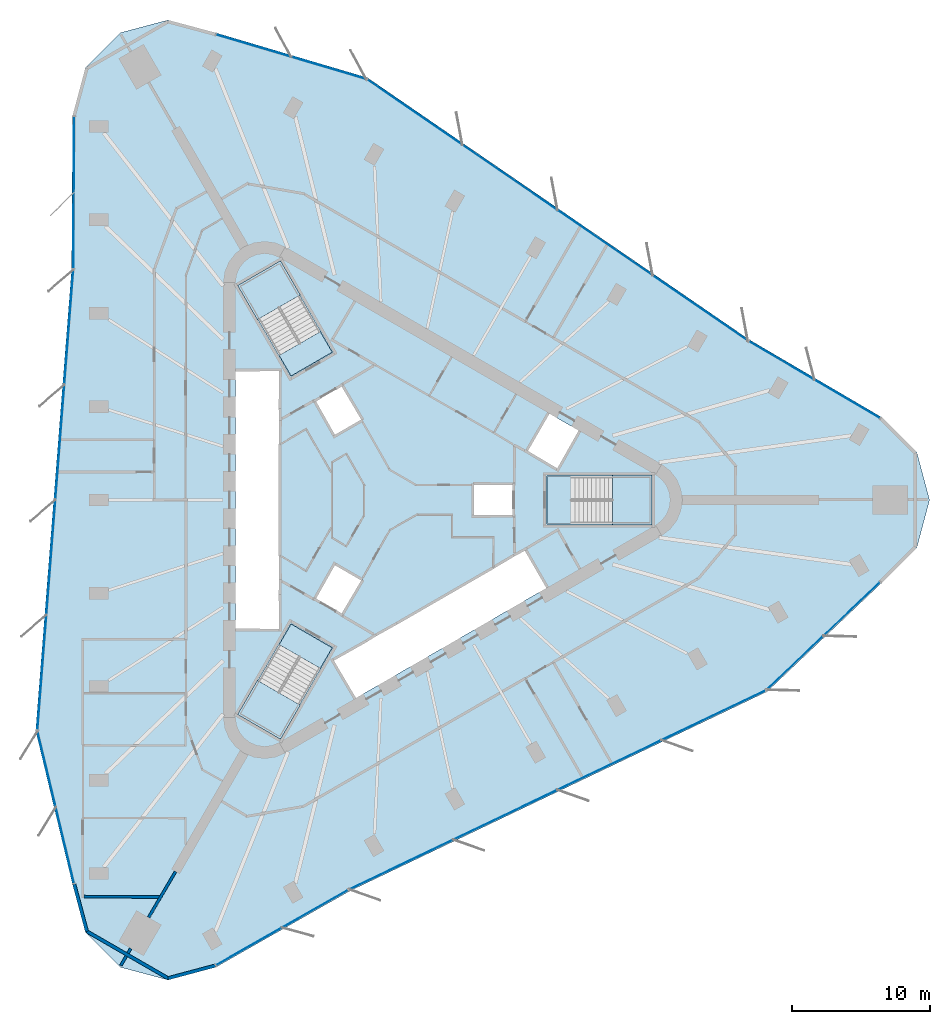
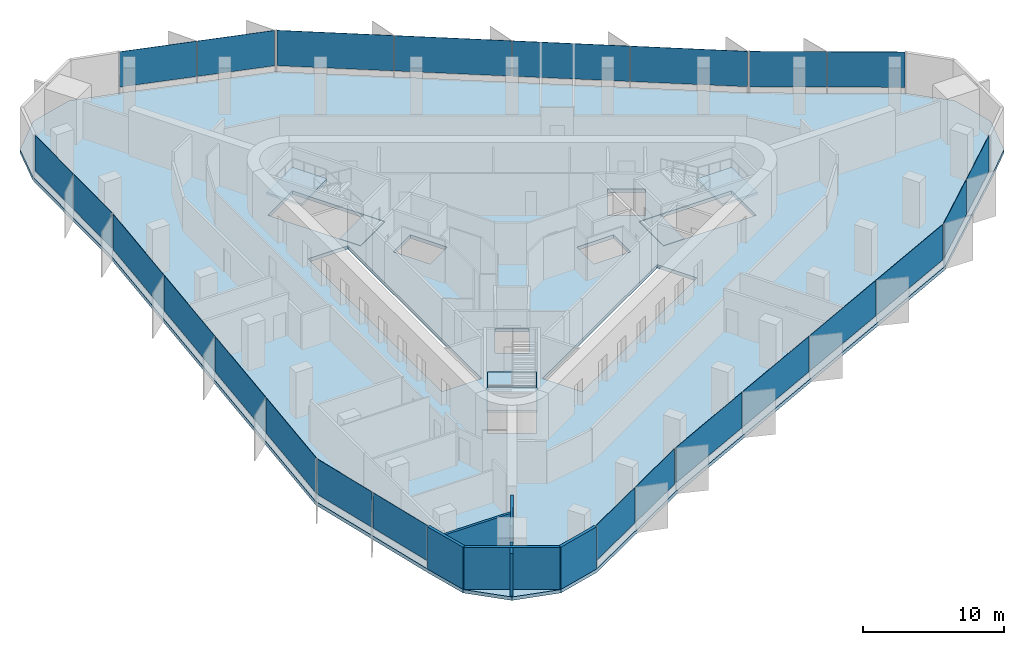
# One storey, part 7 of 13: 24 plates, 7 slabs, 7 walls, 12 elements without a shape of their own.
"""IFC4 building model written with IfcOpenShell, lengths in metres."""

from ifc_helpers import new_model, si_unit, direction, frame, frame_2d, origin, origin_2d, place, context, subcontext, project, spatial, polyline, rectangle, outline, extrude, material, layer, layer_set, type_object, element, aggregate, save


model = new_model("IFC4")

# Units and contexts
model_context = context("Model", 3, precision=1e-05, world=origin(), true_north=direction((0.0, 1.0)))
body_context = subcontext(model_context, "Body", "Model", "MODEL_VIEW")
ifc_project = project(units=[si_unit("LENGTHUNIT", "METRE"), si_unit("AREAUNIT", "SQUARE_METRE"), si_unit("VOLUMEUNIT", "CUBIC_METRE"), si_unit("PLANEANGLEUNIT", "RADIAN"), si_unit("MASSUNIT", "GRAM", prefix="KILO")], contexts=[model_context])

# Site, building, storey
site_placement = place(None, origin())
site = spatial("IfcSite", under=ifc_project, at=site_placement, CompositionType="ELEMENT")
building_placement = place(site_placement, origin())
building = spatial("IfcBuilding", under=site, at=building_placement, Name="Tanit Gate Tower", CompositionType="ELEMENT")
storey_placement = place(building_placement, frame((0.0, 0.0, 273.199951171875)))
storey = spatial("IfcBuildingStorey", under=building, at=storey_placement, Name="L62", CompositionType="ELEMENT", Elevation=273.199951171875)

# Slab
ifc_material_1 = material(Name="Concrete C35/45", Category="concrete")
ifc_layer_1 = layer(ifc_material_1, 0.300048828125)
ifc_layer_set_1 = layer_set([ifc_layer_1], Name="FLOOR SLAB 300 C35/45")
slab_type_1 = type_object("IfcSlabType", Name="FLOOR SLAB 300 C35/45", PredefinedType="FLOOR", material=ifc_layer_set_1)
slab_1_placement = place(storey_placement, frame((0.0, 0.0, -0.300048828125)))
element("IfcSlab", 1, at=slab_1_placement, inside=storey, type_object=slab_type_1, Name="FLOOR SLAB L62", PredefinedType="FLOOR", context=body_context, shape_type="SweptSolid", body=[
    extrude(outline(polyline([(35.658935546875, 5.9951171875), (38.19287109375, 3.461181640625), (39.1201171875, 0.0), (38.19287109375, -3.461181640625), (35.658935546875, -5.9951171875), (27.339111328125, -13.89208984375), (-2.942626953125, -28.364013671875), (-12.637451171875, -33.879150390625), (-16.098876953125, -34.806640625), (-19.56005859375, -33.879150390625), (-22.093994140625, -31.34521484375), (-23.021484375, -27.8837890625), (-25.7001953125, -16.73046875), (-23.092529296875, 16.73046875), (-23.021484375, 27.8837890625), (-22.093994140625, 31.34521484375), (-19.56005859375, 33.879150390625), (-16.098876953125, 34.806640625), (-12.637451171875, 33.879150390625), (-1.638671875, 30.622314453125), (26.03515625, 11.633544921875), (35.658935546875, 5.9951171875)]), holes=[polyline([(11.3701171875, 1.72998046875), (18.929931640625, 1.72998046875), (18.929931640625, -1.72998046875), (11.3701171875, -1.72998046875), (11.3701171875, 1.72998046875)]), polyline([(9.82080078125, 3.510009765625), (11.44580078125, 6.324462890625), (13.783935546875, 4.974609375), (12.158935546875, 2.159912109375), (9.82080078125, 3.510009765625)]), polyline([(-4.208984375, -11.60986328125), (9.82080078125, -3.510009765625), (11.44580078125, -6.324462890625), (-2.583984375, -14.424560546875), (-4.208984375, -11.60986328125)]), polyline([(6.0, 1.199951171875), (9.0, 1.199951171875), (9.0, -1.199951171875), (6.0, -1.199951171875), (6.0, 1.199951171875)]), polyline([(-5.539306640625, 7.194091796875), (-3.460693359375, 8.394287109375), (-1.960693359375, 5.796142578125), (-4.039306640625, 4.59619140625), (-5.539306640625, 7.194091796875)]), polyline([(-1.960693359375, -5.796142578125), (-3.460693359375, -8.394287109375), (-5.539306640625, -7.194091796875), (-4.039306640625, -4.59619140625), (-1.960693359375, -5.796142578125)]), polyline([(-10.963134765625, 15.52880859375), (-7.966796875, 17.2587890625), (-4.186767578125, 10.711669921875), (-7.18310546875, 8.981689453125), (-10.963134765625, 15.52880859375)]), polyline([(-4.186767578125, -10.711669921875), (-7.966796875, -17.2587890625), (-10.963134765625, -15.52880859375), (-7.18310546875, -8.981689453125), (-4.186767578125, -10.711669921875)]), polyline([(-11.199951171875, -9.449951171875), (-11.199951171875, 9.449951171875), (-7.949951171875, 9.449951171875), (-7.949951171875, -9.449951171875), (-11.199951171875, -9.449951171875)])]), origin(), (0.0, 0.0, 1.0), 0.300048828125),
])

# Curtain wall, plates
ifc_material_2 = material(Name="Aluminium bronze anodised and glass", Category="aluminium")
curtain_wall_type = type_object("IfcCurtainWallType", Name="Curtain wall typical mid", PredefinedType="NOTDEFINED", material=ifc_material_2)
curtain_wall_1_placement = place(storey_placement, origin())
curtain_wall_1 = element("IfcCurtainWall", 2, at=curtain_wall_1_placement, inside=storey, type_object=curtain_wall_type, Name="Curtain wall L62 NE1", PredefinedType="NOTDEFINED")
ifc_material_3 = material(Name="Glass tinted", Category="glass")
ifc_layer_2 = layer(ifc_material_3, 0.030029296875)
ifc_layer_set_2 = layer_set([ifc_layer_2], Name="Glass panel 30 typical mid")
plate_type = type_object("IfcPlateType", Name="Glass panel 30 typical mid", PredefinedType="CURTAIN_PANEL", material=ifc_layer_set_2)
plate_1_placement = place(storey_placement, frame((33.1640625, 7.317626953125, 0.60009765625), z_axis=(0.0, 0.0, 1.0), x_axis=(-0.862821001903, 0.505509563386, 0.0)))
plate_1 = element("IfcPlate", 3, at=plate_1_placement, type_object=plate_type, Name="Glass panel L62 NE1.1", PredefinedType="CURTAIN_PANEL", context=body_context, shape_type="SweptSolid", body=[
    extrude(rectangle(XDim=5.451416015625, YDim=0.030029296875, at=origin_2d()), origin(), (0.0, 0.0, 1.0), 3.050048828125),
])
plate_2_placement = place(storey_placement, frame((28.3916015625, 10.11376953125, 0.60009765625), z_axis=(0.0, 0.0, 1.0), x_axis=(-0.862821001903, 0.505509563386, 0.0)))
plate_2 = element("IfcPlate", 4, at=plate_2_placement, type_object=plate_type, Name="Glass panel L62 NE1.2", PredefinedType="CURTAIN_PANEL", context=body_context, shape_type="SweptSolid", body=[
    extrude(rectangle(XDim=5.451416015625, YDim=0.030029296875, at=origin_2d()), origin(), (0.0, 0.0, 1.0), 3.050048828125),
])
aggregate(curtain_wall_1, [plate_1, plate_2])

curtain_wall_2_placement = place(storey_placement, origin())
curtain_wall_2 = element("IfcCurtainWall", 5, at=curtain_wall_2_placement, inside=storey, type_object=curtain_wall_type, Name="Curtain wall L62 NE2", PredefinedType="NOTDEFINED")
plate_3_placement = place(storey_placement, frame((22.48828125, 13.921630859375, 0.60009765625), z_axis=(0.0, 0.0, 1.0), x_axis=(-0.824556572821, 0.565779513784, 0.0)))
plate_3 = element("IfcPlate", 6, at=plate_3_placement, type_object=plate_type, Name="Glass panel L62 NE2.1", PredefinedType="CURTAIN_PANEL", context=body_context, shape_type="SweptSolid", body=[
    extrude(rectangle(XDim=8.286865234375, YDim=0.030029296875, at=origin_2d()), origin(), (0.0, 0.0, 1.0), 3.050048828125),
])
plate_4_placement = place(storey_placement, frame((15.58935546875, 18.655517578125, 0.60009765625), z_axis=(0.0, 0.0, 1.0), x_axis=(-0.824556572821, 0.565779513784, 0.0)))
plate_4 = element("IfcPlate", 7, at=plate_4_placement, type_object=plate_type, Name="Glass panel L62 NE2.2", PredefinedType="CURTAIN_PANEL", context=body_context, shape_type="SweptSolid", body=[
    extrude(rectangle(XDim=8.286865234375, YDim=0.030029296875, at=origin_2d()), origin(), (0.0, 0.0, 1.0), 3.050048828125),
])
plate_5_placement = place(storey_placement, frame((8.6904296875, 23.38916015625, 0.60009765625), z_axis=(0.0, 0.0, 1.0), x_axis=(-0.824556572821, 0.565779513784, 0.0)))
plate_5 = element("IfcPlate", 8, at=plate_5_placement, type_object=plate_type, Name="Glass panel L62 NE2.3", PredefinedType="CURTAIN_PANEL", context=body_context, shape_type="SweptSolid", body=[
    extrude(rectangle(XDim=8.286865234375, YDim=0.030029296875, at=origin_2d()), origin(), (0.0, 0.0, 1.0), 3.050048828125),
])
plate_6_placement = place(storey_placement, frame((1.79150390625, 28.123046875, 0.60009765625), z_axis=(0.0, 0.0, 1.0), x_axis=(-0.824556572821, 0.565779513784, 0.0)))
plate_6 = element("IfcPlate", 9, at=plate_6_placement, type_object=plate_type, Name="Glass panel L62 NE2.4", PredefinedType="CURTAIN_PANEL", context=body_context, shape_type="SweptSolid", body=[
    extrude(rectangle(XDim=8.286865234375, YDim=0.030029296875, at=origin_2d()), origin(), (0.0, 0.0, 1.0), 3.050048828125),
])
aggregate(curtain_wall_2, [plate_3, plate_4, plate_5, plate_6])

curtain_wall_3_placement = place(storey_placement, origin())
curtain_wall_3 = element("IfcCurtainWall", 10, at=curtain_wall_3_placement, inside=storey, type_object=curtain_wall_type, Name="Curtain wall L62 NE3", PredefinedType="NOTDEFINED")
plate_7_placement = place(storey_placement, frame((-4.454833984375, 31.3310546875, 0.60009765625), z_axis=(0.0, 0.0, 1.0), x_axis=(-0.95884800892, 0.283919875653, 0.0)))
plate_7 = element("IfcPlate", 11, at=plate_7_placement, type_object=plate_type, Name="Glass panel L62 NE3.1", PredefinedType="CURTAIN_PANEL", context=body_context, shape_type="SweptSolid", body=[
    extrude(rectangle(XDim=5.60498046875, YDim=0.030029296875, at=origin_2d()), origin(), (0.0, 0.0, 1.0), 3.050048828125),
])
plate_8_placement = place(storey_placement, frame((-9.906005859375, 32.945068359375, 0.60009765625), z_axis=(0.0, 0.0, 1.0), x_axis=(-0.95884800892, 0.283919875653, 0.0)))
plate_8 = element("IfcPlate", 12, at=plate_8_placement, type_object=plate_type, Name="Glass panel L62 NE3.2", PredefinedType="CURTAIN_PANEL", context=body_context, shape_type="SweptSolid", body=[
    extrude(rectangle(XDim=5.60498046875, YDim=0.030029296875, at=origin_2d()), origin(), (0.0, 0.0, 1.0), 3.050048828125),
])
aggregate(curtain_wall_3, [plate_7, plate_8])

curtain_wall_4_placement = place(storey_placement, origin())
curtain_wall_4 = element("IfcCurtainWall", 13, at=curtain_wall_4_placement, inside=storey, type_object=curtain_wall_type, Name="Curtain wall L62 W1", PredefinedType="NOTDEFINED")
plate_9_placement = place(storey_placement, frame((-22.91943359375, 25.062255859375, 0.60009765625), z_axis=(0.0, 0.0, 1.0), x_axis=(-0.006373622797, -0.99997968826, 0.0)))
plate_9 = element("IfcPlate", 14, at=plate_9_placement, type_object=plate_type, Name="Glass panel L62 W1.1", PredefinedType="CURTAIN_PANEL", context=body_context, shape_type="SweptSolid", body=[
    extrude(rectangle(XDim=5.451416015625, YDim=0.030029296875, at=origin_2d()), origin(), (0.0, 0.0, 1.0), 3.050048828125),
])
plate_10_placement = place(storey_placement, frame((-22.95458984375, 19.531005859375, 0.60009765625), z_axis=(0.0, 0.0, 1.0), x_axis=(-0.006373622797, -0.99997968826, 0.0)))
plate_10 = element("IfcPlate", 15, at=plate_10_placement, type_object=plate_type, Name="Glass panel L62 W1.2", PredefinedType="CURTAIN_PANEL", context=body_context, shape_type="SweptSolid", body=[
    extrude(rectangle(XDim=5.451416015625, YDim=0.030029296875, at=origin_2d()), origin(), (0.0, 0.0, 1.0), 3.050048828125),
])
aggregate(curtain_wall_4, [plate_9, plate_10])

curtain_wall_5_placement = place(storey_placement, origin())
curtain_wall_5 = element("IfcCurtainWall", 16, at=curtain_wall_5_placement, inside=storey, type_object=curtain_wall_type, Name="Curtain wall L62 W2", PredefinedType="NOTDEFINED")
plate_11_placement = place(storey_placement, frame((-23.30078125, 12.5146484375, 0.60009765625), z_axis=(0.0, 0.0, 1.0), x_axis=(-0.077701145467, -0.996976695812, 0.0)))
plate_11 = element("IfcPlate", 17, at=plate_11_placement, type_object=plate_type, Name="Glass panel L62 W2.1", PredefinedType="CURTAIN_PANEL", context=body_context, shape_type="SweptSolid", body=[
    extrude(rectangle(XDim=8.286865234375, YDim=0.030029296875, at=origin_2d()), origin(), (0.0, 0.0, 1.0), 3.050048828125),
])
plate_12_placement = place(storey_placement, frame((-23.950927734375, 4.173095703125, 0.60009765625), z_axis=(0.0, 0.0, 1.0), x_axis=(-0.077701145467, -0.996976695812, 0.0)))
plate_12 = element("IfcPlate", 18, at=plate_12_placement, type_object=plate_type, Name="Glass panel L62 W2.2", PredefinedType="CURTAIN_PANEL", context=body_context, shape_type="SweptSolid", body=[
    extrude(rectangle(XDim=8.286865234375, YDim=0.030029296875, at=origin_2d()), origin(), (0.0, 0.0, 1.0), 3.050048828125),
])
plate_13_placement = place(storey_placement, frame((-24.600830078125, -4.16845703125, 0.60009765625), z_axis=(0.0, 0.0, 1.0), x_axis=(-0.077701145467, -0.996976695812, 0.0)))
plate_13 = element("IfcPlate", 19, at=plate_13_placement, type_object=plate_type, Name="Glass panel L62 W2.3", PredefinedType="CURTAIN_PANEL", context=body_context, shape_type="SweptSolid", body=[
    extrude(rectangle(XDim=8.286865234375, YDim=0.030029296875, at=origin_2d()), origin(), (0.0, 0.0, 1.0), 3.050048828125),
])
plate_14_placement = place(storey_placement, frame((-25.2509765625, -12.510009765625, 0.60009765625), z_axis=(0.0, 0.0, 1.0), x_axis=(-0.077701145467, -0.996976695812, 0.0)))
plate_14 = element("IfcPlate", 20, at=plate_14_placement, type_object=plate_type, Name="Glass panel L62 W2.4", PredefinedType="CURTAIN_PANEL", context=body_context, shape_type="SweptSolid", body=[
    extrude(rectangle(XDim=8.286865234375, YDim=0.030029296875, at=origin_2d()), origin(), (0.0, 0.0, 1.0), 3.050048828125),
])
aggregate(curtain_wall_5, [plate_11, plate_12, plate_13, plate_14])

curtain_wall_6_placement = place(storey_placement, origin())
curtain_wall_6 = element("IfcCurtainWall", 21, at=curtain_wall_6_placement, inside=storey, type_object=curtain_wall_type, Name="Curtain wall L62 W3", PredefinedType="NOTDEFINED")
plate_15_placement = place(storey_placement, frame((-24.906005859375, -19.523681640625, 0.60009765625), z_axis=(0.0, 0.0, 1.0), x_axis=(0.233542179505, -0.972346671919, 0.0)))
plate_15 = element("IfcPlate", 22, at=plate_15_placement, type_object=plate_type, Name="Glass panel L62 W3.1", PredefinedType="CURTAIN_PANEL", context=body_context, shape_type="SweptSolid", body=[
    extrude(rectangle(XDim=5.60498046875, YDim=0.030029296875, at=origin_2d()), origin(), (0.0, 0.0, 1.0), 3.050048828125),
])
plate_16_placement = place(storey_placement, frame((-23.578369140625, -25.051513671875, 0.60009765625), z_axis=(0.0, 0.0, 1.0), x_axis=(0.233542179505, -0.972346671919, 0.0)))
plate_16 = element("IfcPlate", 23, at=plate_16_placement, type_object=plate_type, Name="Glass panel L62 W3.2", PredefinedType="CURTAIN_PANEL", context=body_context, shape_type="SweptSolid", body=[
    extrude(rectangle(XDim=5.60498046875, YDim=0.030029296875, at=origin_2d()), origin(), (0.0, 0.0, 1.0), 3.050048828125),
])
aggregate(curtain_wall_6, [plate_15, plate_16])

curtain_wall_7_placement = place(storey_placement, origin())
curtain_wall_7 = element("IfcCurtainWall", 24, at=curtain_wall_7_placement, inside=storey, type_object=curtain_wall_type, Name="Curtain wall L62 SE1", PredefinedType="NOTDEFINED")
plate_17_placement = place(storey_placement, frame((-10.244873046875, -32.3798828125, 0.60009765625), z_axis=(0.0, 0.0, 1.0), x_axis=(0.8691946247, 0.494470124873, 0.0)))
plate_17 = element("IfcPlate", 25, at=plate_17_placement, type_object=plate_type, Name="Glass panel L62 SE1.1", PredefinedType="CURTAIN_PANEL", context=body_context, shape_type="SweptSolid", body=[
    extrude(rectangle(XDim=5.451416015625, YDim=0.030029296875, at=origin_2d()), origin(), (0.0, 0.0, 1.0), 3.050048828125),
])
plate_18_placement = place(storey_placement, frame((-5.43701171875, -29.644775390625, 0.60009765625), z_axis=(0.0, 0.0, 1.0), x_axis=(0.8691946247, 0.494470124873, 0.0)))
plate_18 = element("IfcPlate", 26, at=plate_18_placement, type_object=plate_type, Name="Glass panel L62 SE1.2", PredefinedType="CURTAIN_PANEL", context=body_context, shape_type="SweptSolid", body=[
    extrude(rectangle(XDim=5.451416015625, YDim=0.030029296875, at=origin_2d()), origin(), (0.0, 0.0, 1.0), 3.050048828125),
])
aggregate(curtain_wall_7, [plate_17, plate_18])

curtain_wall_8_placement = place(storey_placement, origin())
curtain_wall_8 = element("IfcCurtainWall", 27, at=curtain_wall_8_placement, inside=storey, type_object=curtain_wall_type, Name="Curtain wall L62 SE2", PredefinedType="NOTDEFINED")
plate_19_placement = place(storey_placement, frame((0.812255859375, -26.436279296875, 0.60009765625), z_axis=(0.0, 0.0, 1.0), x_axis=(0.902257718288, 0.431197182029, 0.0)))
plate_19 = element("IfcPlate", 28, at=plate_19_placement, type_object=plate_type, Name="Glass panel L62 SE2.1", PredefinedType="CURTAIN_PANEL", context=body_context, shape_type="SweptSolid", body=[
    extrude(rectangle(XDim=8.286865234375, YDim=0.030029296875, at=origin_2d()), origin(), (0.0, 0.0, 1.0), 3.050048828125),
])
plate_20_placement = place(storey_placement, frame((8.361572265625, -22.82861328125, 0.60009765625), z_axis=(0.0, 0.0, 1.0), x_axis=(0.902257718288, 0.431197182029, 0.0)))
plate_20 = element("IfcPlate", 29, at=plate_20_placement, type_object=plate_type, Name="Glass panel L62 SE2.2", PredefinedType="CURTAIN_PANEL", context=body_context, shape_type="SweptSolid", body=[
    extrude(rectangle(XDim=8.286865234375, YDim=0.030029296875, at=origin_2d()), origin(), (0.0, 0.0, 1.0), 3.050048828125),
])
plate_21_placement = place(storey_placement, frame((15.910400390625, -19.220703125, 0.60009765625), z_axis=(0.0, 0.0, 1.0), x_axis=(0.902257718288, 0.431197182029, 0.0)))
plate_21 = element("IfcPlate", 30, at=plate_21_placement, type_object=plate_type, Name="Glass panel L62 SE2.3", PredefinedType="CURTAIN_PANEL", context=body_context, shape_type="SweptSolid", body=[
    extrude(rectangle(XDim=8.286865234375, YDim=0.030029296875, at=origin_2d()), origin(), (0.0, 0.0, 1.0), 3.050048828125),
])
plate_22_placement = place(storey_placement, frame((23.45947265625, -15.613037109375, 0.60009765625), z_axis=(0.0, 0.0, 1.0), x_axis=(0.902257718288, 0.431197182029, 0.0)))
plate_22 = element("IfcPlate", 31, at=plate_22_placement, type_object=plate_type, Name="Glass panel L62 SE2.4", PredefinedType="CURTAIN_PANEL", context=body_context, shape_type="SweptSolid", body=[
    extrude(rectangle(XDim=8.286865234375, YDim=0.030029296875, at=origin_2d()), origin(), (0.0, 0.0, 1.0), 3.050048828125),
])
aggregate(curtain_wall_8, [plate_19, plate_20, plate_21, plate_22])

curtain_wall_9_placement = place(storey_placement, origin())
curtain_wall_9 = element("IfcCurtainWall", 32, at=curtain_wall_9_placement, inside=storey, type_object=curtain_wall_type, Name="Curtain wall L62 SE3", PredefinedType="NOTDEFINED")
plate_23_placement = place(storey_placement, frame((29.36083984375, -11.807373046875, 0.60009765625), z_axis=(0.0, 0.0, 1.0), x_axis=(0.725305829415, 0.688426796266, 0.0)))
plate_23 = element("IfcPlate", 33, at=plate_23_placement, type_object=plate_type, Name="Glass panel L62 SE3.1", PredefinedType="CURTAIN_PANEL", context=body_context, shape_type="SweptSolid", body=[
    extrude(rectangle(XDim=5.60498046875, YDim=0.030029296875, at=origin_2d()), origin(), (0.0, 0.0, 1.0), 3.050048828125),
])
plate_24_placement = place(storey_placement, frame((33.484375, -7.8935546875, 0.60009765625), z_axis=(0.0, 0.0, 1.0), x_axis=(0.725305829415, 0.688426796266, 0.0)))
plate_24 = element("IfcPlate", 34, at=plate_24_placement, type_object=plate_type, Name="Glass panel L62 SE3.2", PredefinedType="CURTAIN_PANEL", context=body_context, shape_type="SweptSolid", body=[
    extrude(rectangle(XDim=5.60498046875, YDim=0.030029296875, at=origin_2d()), origin(), (0.0, 0.0, 1.0), 3.050048828125),
])
aggregate(curtain_wall_9, [plate_23, plate_24])

# Stair, slab
ifc_material_4 = material(Name="Concrete C40/50", Category="concrete")
stair_type = type_object("IfcStairType", Name="INT-STAIR-EXIT", PredefinedType="HALF_TURN_STAIR", material=ifc_material_4)
stair_1_placement = place(storey_placement, origin())
stair_1 = element("IfcStair", 35, at=stair_1_placement, inside=storey, type_object=stair_type, Name="L62 STAIR S1", PredefinedType="HALF_TURN_STAIR")
ifc_material_5 = material(Name="Concrete C40/50", Category="concrete")
ifc_layer_3 = layer(ifc_material_5, 0.199951171875)
ifc_layer_set_3 = layer_set([ifc_layer_3], Name="INT-STAIR-LANDING")
slab_type_2 = type_object("IfcSlabType", Name="INT-STAIR-LANDING", PredefinedType="LANDING", material=ifc_layer_set_3)
slab_2_placement = place(storey_placement, frame((0.0, 0.0, 1.800048828125)))
slab_2 = element("IfcSlab", 36, at=slab_2_placement, type_object=slab_type_2, Name="S1 landing 1", PredefinedType="LANDING", context=body_context, shape_type="SweptSolid", body=[
    extrude(outline(polyline([(16.135986328125, -1.800048828125), (19.0, -1.800048828125), (19.0, 1.800048828125), (16.135986328125, 1.800048828125), (16.135986328125, -1.800048828125)])), origin(), (0.0, 0.0, 1.0), 0.199951171875),
])
aggregate(stair_1, [slab_2])

# Slab
slab_3_placement = place(storey_placement, frame((0.0, 0.0, -0.199951171875)))
element("IfcSlab", 37, at=slab_3_placement, inside=storey, type_object=slab_type_2, Name="S1 floor landing", PredefinedType="LANDING", context=body_context, shape_type="SweptSolid", body=[
    extrude(outline(polyline([(11.3798828125, -1.719970703125), (13.10498046875, -1.719970703125), (13.10498046875, 1.719970703125), (11.3798828125, 1.719970703125), (11.3798828125, -1.719970703125)])), origin(), (0.0, 0.0, 1.0), 0.199951171875),
])

# Stair, slab
stair_2_placement = place(storey_placement, origin())
stair_2 = element("IfcStair", 38, at=stair_2_placement, inside=storey, type_object=stair_type, Name="L62 STAIR S2", PredefinedType="HALF_TURN_STAIR")
slab_4_placement = place(storey_placement, frame((0.0, 0.0, 1.800048828125)))
slab_4 = element("IfcSlab", 39, at=slab_4_placement, type_object=slab_type_2, Name="S2 landing 1", PredefinedType="LANDING", context=body_context, shape_type="SweptSolid", body=[
    extrude(outline(polyline([(-6.5078125, 14.871826171875), (-7.941162109375, 17.3544921875), (-11.058837890625, 15.554443359375), (-9.62548828125, 13.07177734375), (-6.5078125, 14.871826171875)])), origin(), (0.0, 0.0, 1.0), 0.199951171875),
])
aggregate(stair_2, [slab_4])

# Slab
slab_5_placement = place(storey_placement, frame((0.0, 0.0, -0.199951171875)))
element("IfcSlab", 40, at=slab_5_placement, inside=storey, type_object=slab_type_2, Name="S2 floor landing", PredefinedType="LANDING", context=body_context, shape_type="SweptSolid", body=[
    extrude(outline(polyline([(-4.200439453125, 10.71533203125), (-5.0625, 12.20849609375), (-8.04150390625, 10.48828125), (-7.179443359375, 8.995361328125), (-4.200439453125, 10.71533203125)])), origin(), (0.0, 0.0, 1.0), 0.199951171875),
])

# Stair, slab
stair_3_placement = place(storey_placement, origin())
stair_3 = element("IfcStair", 41, at=stair_3_placement, inside=storey, type_object=stair_type, Name="L62 STAIR S3", PredefinedType="HALF_TURN_STAIR")
slab_6_placement = place(storey_placement, frame((0.0, 0.0, 1.800048828125)))
slab_6 = element("IfcSlab", 42, at=slab_6_placement, type_object=slab_type_2, Name="S3 landing 1", PredefinedType="LANDING", context=body_context, shape_type="SweptSolid", body=[
    extrude(outline(polyline([(-9.626953125, -13.07421875), (-11.058837890625, -15.554443359375), (-7.941162109375, -17.3544921875), (-6.509033203125, -14.874267578125), (-9.626953125, -13.07421875)])), origin(), (0.0, 0.0, 1.0), 0.199951171875),
])
aggregate(stair_3, [slab_6])

# Slab
slab_7_placement = place(storey_placement, frame((0.0, 0.0, -0.199951171875)))
element("IfcSlab", 43, at=slab_7_placement, inside=storey, type_object=slab_type_2, Name="S3 floor landing", PredefinedType="LANDING", context=body_context, shape_type="SweptSolid", body=[
    extrude(outline(polyline([(-7.179443359375, -8.995361328125), (-8.0419921875, -10.4892578125), (-5.06298828125, -12.209228515625), (-4.200439453125, -10.71533203125), (-7.179443359375, -8.995361328125)])), origin(), (0.0, 0.0, 1.0), 0.199951171875),
])

# Walls
ifc_material_6 = material(Name="Concrete C30/37 with bronze anodised aluminium cladding", Category="concrete")
ifc_layer_4 = layer(ifc_material_6, 0.239990234375)
ifc_layer_set_4 = layer_set([ifc_layer_4], Name="Facade wall bronze clad 240")
wall_type_1 = type_object("IfcWallType", Name="Facade wall bronze clad 240", PredefinedType="SOLIDWALL", material=ifc_layer_set_4)
wall_1_placement = place(storey_placement, frame((-22.905029296875, -27.8544921875, 0.0), z_axis=(0.0, 0.0, 1.0), x_axis=(0.258814010312, -0.965927175343, 0.0)))
element("IfcWall", 44, at=wall_1_placement, inside=storey, type_object=wall_type_1, Name="Bronze-clad facade wall L62 SW.arc1", PredefinedType="SOLIDWALL", context=body_context, shape_type="SweptSolid", body=[
    extrude(rectangle(XDim=3.549560546875, YDim=0.239990234375, at=frame_2d((1.77490234375, 0.0))), origin(), (0.0, 0.0, 1.0), 3.650146484375),
])
wall_2_placement = place(storey_placement, frame((-21.986328125, -31.283203125, 0.0), z_axis=(0.0, 0.0, 1.0), x_axis=(0.866022320763, -0.500005339912, 0.0)))
element("IfcWall", 45, at=wall_2_placement, inside=storey, type_object=wall_type_1, Name="Bronze-clad facade wall L62 SW.arc2", PredefinedType="SOLIDWALL", context=body_context, shape_type="SweptSolid", body=[
    extrude(rectangle(XDim=6.79833984375, YDim=0.239990234375, at=frame_2d((3.399169921875, 0.0))), origin(), (0.0, 0.0, 1.0), 3.650146484375),
])
wall_3_placement = place(storey_placement, frame((-16.098876953125, -34.682373046875, 0.0), z_axis=(0.0, 0.0, 1.0), x_axis=(0.965919080444, 0.258844219627, 0.0)))
element("IfcWall", 46, at=wall_3_placement, inside=storey, type_object=wall_type_1, Name="Bronze-clad facade wall L62 SW.arc3", PredefinedType="SOLIDWALL", context=body_context, shape_type="SweptSolid", body=[
    extrude(rectangle(XDim=3.5361328125, YDim=0.239990234375, at=frame_2d((1.76806640625, 0.0))), origin(), (0.0, 0.0, 1.0), 3.650146484375),
])
ifc_material_7 = material(Name="Fire-rated gypsum board partition")
ifc_layer_5 = layer(ifc_material_7, 0.199951171875)
ifc_layer_set_5 = layer_set([ifc_layer_5], Name="INT-WALL-COMPARTMENT")
wall_type_2 = type_object("IfcWallType", Name="INT-WALL-COMPARTMENT", PredefinedType="PARTITIONING", material=ifc_layer_set_5)
wall_4_placement = place(storey_placement, frame((-15.557373046875, -26.946044921875, 0.0), z_axis=(0.0, 0.0, 1.0), x_axis=(-0.506699088554, -0.862122980588, 0.0)))
element("IfcWall", 47, at=wall_4_placement, inside=storey, type_object=wall_type_2, Name="Wall Compartment W130", PredefinedType="PARTITIONING", context=body_context, shape_type="SweptSolid", body=[
    extrude(rectangle(XDim=3.85546875, YDim=0.199951171875, at=frame_2d((1.927734375, 0.0))), origin(), (0.0, 0.0, 1.0), 3.219970703125),
])
wall_5_placement = place(storey_placement, frame((-18.81103515625, -32.521728515625, 0.0), z_axis=(0.0, 0.0, 1.0), x_axis=(-0.500061319399, -0.865989998118, 0.0)))
element("IfcWall", 48, at=wall_5_placement, inside=storey, type_object=wall_type_2, Name="Wall Compartment W114", PredefinedType="PARTITIONING", context=body_context, shape_type="SweptSolid", body=[
    extrude(rectangle(XDim=0.39501953125, YDim=0.199951171875, at=frame_2d((0.197509765625, 0.0))), origin(), (0.0, 0.0, 1.0), 3.650146484375),
])
wall_6_placement = place(storey_placement, frame((-19.128662109375, -33.071533203125, 0.0), z_axis=(0.0, 0.0, 1.0), x_axis=(-0.499929430274, -0.866066143401, 0.0)))
element("IfcWall", 49, at=wall_6_placement, inside=storey, type_object=wall_type_2, Name="Wall Compartment W114x1", PredefinedType="PARTITIONING", context=body_context, shape_type="SweptSolid", body=[
    extrude(rectangle(XDim=0.78271484375, YDim=0.199951171875, at=frame_2d((0.391357421875, 0.0))), origin(), (0.0, 0.0, 1.0), 3.650146484375),
])
wall_7_placement = place(storey_placement, frame((-22.179931640625, -28.760498046875, 0.0), z_axis=(0.0, 0.0, 1.0), x_axis=(0.999985875988, -0.005314868268, 0.0)))
element("IfcWall", 50, at=wall_7_placement, inside=storey, type_object=wall_type_2, Name="Wall Compartment W121", PredefinedType="PARTITIONING", context=body_context, shape_type="SweptSolid", body=[
    extrude(rectangle(XDim=5.55810546875, YDim=0.199951171875, at=frame_2d((2.779052734375, 0.0))), origin(), (0.0, 0.0, 1.0), 3.219970703125),
])

save(model, "model.ifc")
